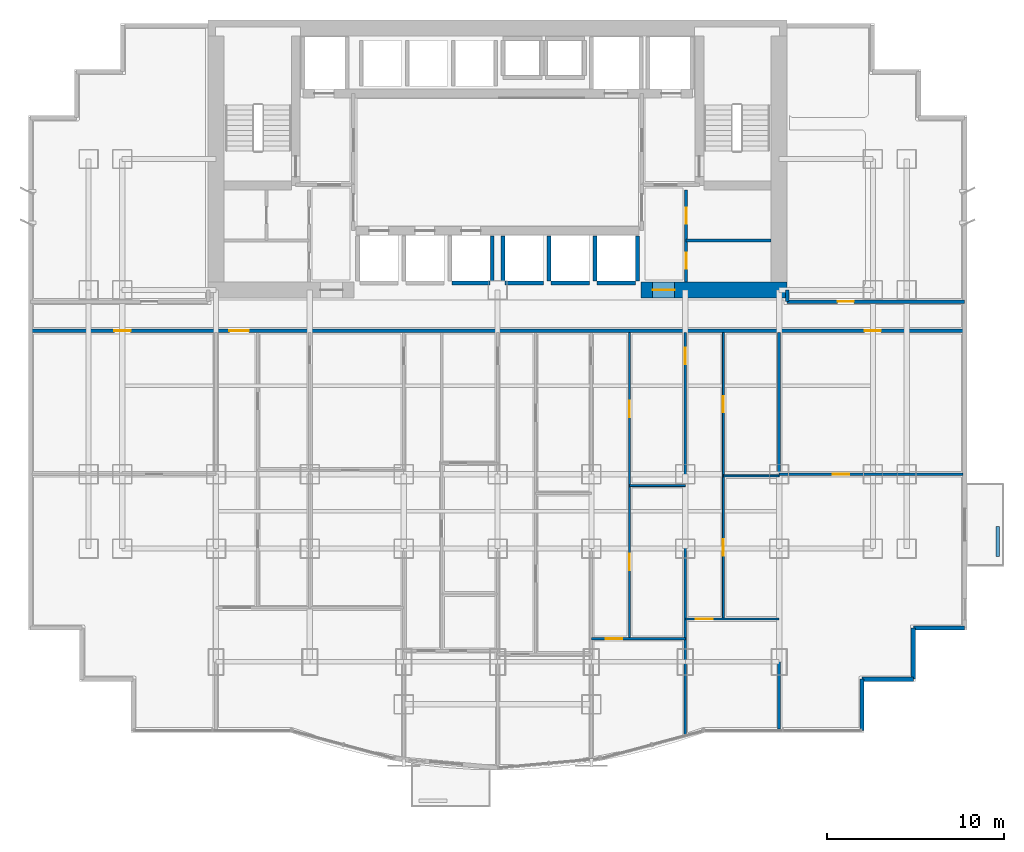
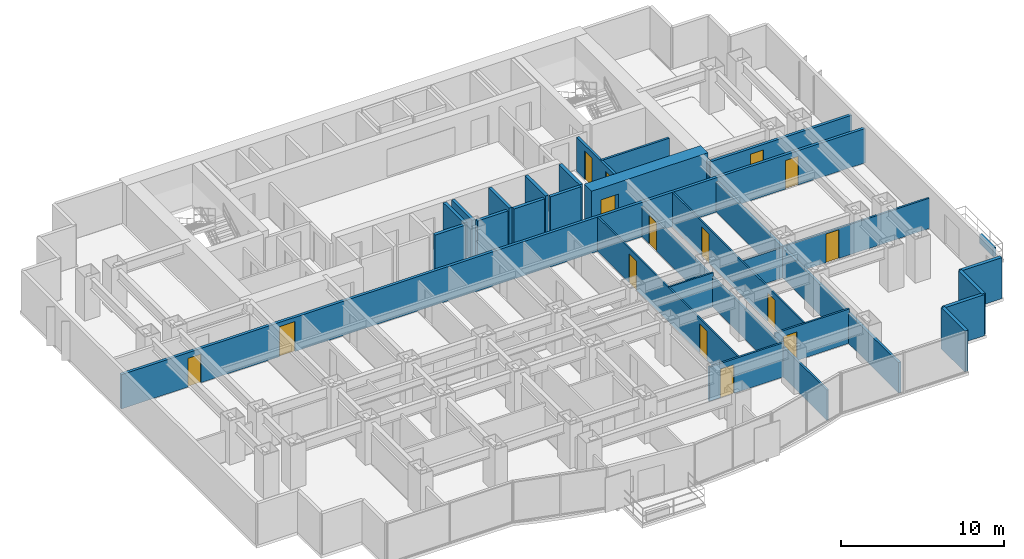
# One storey, part 6 of 10: 29 walls, 15 doors, 15 openings.
"""IFC4 building model written with IfcOpenShell, lengths in metres."""

from ifc_helpers import new_model, si_unit, direction, frame, frame_2d, origin, place, context, subcontext, project, spatial, rectangle, extrude, material, layer, layer_set, type_object, element, fill, save


model = new_model("IFC4")

# Units and contexts
model_context = context("Model", 3, precision=1e-05, world=origin(), true_north=direction((0.0, 1.0)))
body_context = subcontext(model_context, "Body", "Model", "MODEL_VIEW")
ifc_project = project(units=[si_unit("LENGTHUNIT", "METRE"), si_unit("AREAUNIT", "SQUARE_METRE"), si_unit("VOLUMEUNIT", "CUBIC_METRE"), si_unit("PLANEANGLEUNIT", "RADIAN"), si_unit("MASSUNIT", "GRAM", prefix="KILO")], contexts=[model_context])

# Site, building, storey
site_placement = place(None, origin())
site = spatial("IfcSite", under=ifc_project, at=site_placement, CompositionType="ELEMENT")
building_placement = place(site_placement, origin())
building = spatial("IfcBuilding", under=site, at=building_placement, Name="Qianlan Lanfeng Residences", CompositionType="ELEMENT")
storey_placement = place(building_placement, frame((0.0, 0.0, 53.89990234375)))
storey = spatial("IfcBuildingStorey", under=building, at=storey_placement, Name="L14", CompositionType="ELEMENT", Elevation=53.89990234375)

# Wall, opening, door
ifc_material_1 = material(Name="Concrete C70", Category="concrete")
ifc_layer_1 = layer(ifc_material_1, 0.89990234375)
ifc_layer_set_1 = layer_set([ifc_layer_1], Name="Concrete C70")
wall_type_1 = type_object("IfcWallType", Name="CW-RC-900", PredefinedType="SHEAR", material=ifc_layer_set_1)
wall_1_placement = place(storey_placement, frame((34.60009765625, 25.199951171875, 0.0), z_axis=(0.0, 0.0, 1.0), x_axis=(1.0, 0.0, 0.0)))
wall_1 = element("IfcWall", 1, at=wall_1_placement, inside=storey, type_object=wall_type_1, Name="L14 Core Shear Wall SE", PredefinedType="SHEAR", context=body_context, shape_type="SweptSolid", body=[
    extrude(rectangle(XDim=8.25, YDim=0.89990234375, at=frame_2d((4.125, 0.0))), origin(), (0.0, 0.0, 1.0), 3.080078125),
])
opening_1_placement = place(wall_1_placement, frame((0.64990234375, 0.0, 0.0)))
opening_1 = element("IfcOpeningElement", 2, at=opening_1_placement, cuts=wall_1, Name="Opening L14-D02", PredefinedType="OPENING", context=body_context, shape_type="SweptSolid", body=[
    extrude(rectangle(XDim=1.25, YDim=2.199951171875, at=frame_2d((0.625, 1.10009765625))), frame((0.0, 0.4599609375, 0.0), z_axis=(0.0, -1.0, 0.0), x_axis=(1.0, 0.0, 0.0)), (0.0, 0.0, 1.0), 0.919921875),
])
ifc_material_2 = material(Name="Painted Galvanised Steel Fire Door", Category="steel")
door_type_1 = type_object("IfcDoorType", Name="DT-FFL", OperationType="NOTDEFINED", PredefinedType="DOOR", material=ifc_material_2)
door_1_placement = place(opening_1_placement, frame((1.25, 0.0, 0.0), z_axis=(0.0, 0.0, 1.0), x_axis=(-1.0, 0.0, 0.0)))
door_1 = element("IfcDoor", 3, at=door_1_placement, inside=storey, type_object=door_type_1, Name="L14 East Core Lobby Smoke Door L14-D02 (DT-FFL)", OperationType="SINGLE_SWING_LEFT", OverallHeight=2.199951171875, OverallWidth=1.25, PredefinedType="DOOR", context=body_context, shape_type="SweptSolid", body=[
    extrude(rectangle(XDim=1.25, YDim=2.199951171875, at=frame_2d((0.625, 1.10009765625))), frame((0.0, 0.02490234375, 0.0), z_axis=(0.0, -1.0, 0.0), x_axis=(1.0, 0.0, 0.0)), (0.0, 0.0, 1.0), 0.050048828125),
])
fill(opening_1, door_1)

# Walls
ifc_material_3 = material(Name="Concrete C42", Category="concrete")
ifc_layer_2 = layer(ifc_material_3, 0.239990234375)
ifc_layer_set_2 = layer_set([ifc_layer_2], Name="Concrete C42")
wall_type_2 = type_object("IfcWallType", Name="EW-240", PredefinedType="SOLIDWALL", material=ifc_layer_set_2)
for number, where, z_axis, x_axis, name in (
    (4, (47.080078125, 0.320068359375, 0.0), (0.0, 0.0, 1.0), (0.0, 1.0, 0.0), "L14 Exterior Facade Spandrel Wall 6"),
    (5, (47.080078125, 3.219970703125, 0.0), (0.0, 0.0, 1.0), (1.0, 0.0, 0.0), "L14 Exterior Facade Spandrel Wall 7"),
):
    element("IfcWall", number, at=place(storey_placement, frame(where, z_axis=z_axis, x_axis=x_axis)), inside=storey, type_object=wall_type_2, Name=name, PredefinedType="SOLIDWALL", context=body_context, shape_type="SweptSolid", body=[
        extrude(rectangle(XDim=2.89990234375, YDim=0.239990234375, at=frame_2d((1.449951171875, 0.0))), origin(), (0.0, 0.0, 1.0), 3.080078125),
    ])
wall_2_placement = place(storey_placement, frame((49.97998046875, 3.219970703125, 0.0), z_axis=(0.0, 0.0, 1.0), x_axis=(0.0, 1.0, 0.0)))
element("IfcWall", 6, at=wall_2_placement, inside=storey, type_object=wall_type_2, Name="L14 Exterior Facade Spandrel Wall 8", PredefinedType="SOLIDWALL", context=body_context, shape_type="SweptSolid", body=[
    extrude(rectangle(XDim=2.900146484375, YDim=0.239990234375, at=frame_2d((1.4501953125, 0.0))), origin(), (0.0, 0.0, 1.0), 3.080078125),
])
wall_3_placement = place(storey_placement, frame((49.97998046875, 6.1201171875, 0.0), z_axis=(0.0, 0.0, 1.0), x_axis=(1.0, 0.0, 0.0)))
element("IfcWall", 7, at=wall_3_placement, inside=storey, type_object=wall_type_2, Name="L14 Exterior Facade Spandrel Wall 9", PredefinedType="SOLIDWALL", context=body_context, shape_type="SweptSolid", body=[
    extrude(rectangle(XDim=2.89990234375, YDim=0.239990234375, at=frame_2d((1.449951171875, 0.0))), origin(), (0.0, 0.0, 1.0), 3.080078125),
])
ifc_layer_3 = layer(ifc_material_3, 0.199951171875)
ifc_layer_set_3 = layer_set([ifc_layer_3], Name="Concrete C42")
wall_type_3 = type_object("IfcWallType", Name="PL-TREE-200", PredefinedType="PARAPET", material=ifc_layer_set_3)
wall_4_placement = place(storey_placement, frame((54.75, 10.14990234375, 0.0), z_axis=(0.0, 0.0, 1.0), x_axis=(0.0, 1.0, 0.0)))
element("IfcWall", 8, at=wall_4_placement, inside=storey, type_object=wall_type_3, Name="L14 East Tree Planter Curb EB-S", PredefinedType="PARAPET", context=body_context, shape_type="SweptSolid", body=[
    extrude(rectangle(XDim=1.7001953125, YDim=0.199951171875, at=frame_2d((0.85009765625, 0.0))), origin(), (0.0, 0.0, 1.0), 0.650146484375),
])

# Wall, openings, doors
ifc_material_4 = material(Name="Demountable Acoustic Framing Partition 110 mm")
ifc_layer_4 = layer(ifc_material_4, 0.110107421875)
ifc_layer_set_4 = layer_set([ifc_layer_4], Name="Demountable Acoustic Framing Partition 110 mm")
wall_type_4 = type_object("IfcWallType", Name="PW-110", PredefinedType="MOVABLE", material=ifc_layer_set_4)
wall_5_placement = place(storey_placement, frame((33.949951171875, 5.512939453125, 0.0), z_axis=(0.0, 0.0, 1.0), x_axis=(0.0, 1.0, 0.0)))
wall_5 = element("IfcWall", 9, at=wall_5_placement, inside=storey, type_object=wall_type_4, Name="L14 U01 Bedroom 4 Hall Wall", PredefinedType="MOVABLE", context=body_context, shape_type="SweptSolid", body=[
    extrude(rectangle(XDim=17.287109375, YDim=0.110107421875, at=frame_2d((8.6435546875, 0.0))), origin(), (0.0, 0.0, 1.0), 2.570068359375),
])
opening_2_placement = place(wall_5_placement, frame((3.862060546875, 0.0, 0.0)))
opening_2 = element("IfcOpeningElement", 10, at=opening_2_placement, cuts=wall_5, Name="Opening L14-D34", PredefinedType="OPENING", context=body_context, shape_type="SweptSolid", body=[
    extrude(rectangle(XDim=0.919921875, YDim=2.14990234375, at=frame_2d((0.4599609375, 1.074951171875))), frame((0.0, 0.06494140625, 0.0), z_axis=(0.0, -1.0, 0.0), x_axis=(1.0, 0.0, 0.0)), (0.0, 0.0, 1.0), 0.130126953125),
])
opening_3_placement = place(wall_5_placement, frame((12.5048828125, 0.0, 0.0)))
opening_3 = element("IfcOpeningElement", 11, at=opening_3_placement, cuts=wall_5, Name="Opening L14-D35", PredefinedType="OPENING", context=body_context, shape_type="SweptSolid", body=[
    extrude(rectangle(XDim=0.919921875, YDim=2.14990234375, at=frame_2d((0.4599609375, 1.074951171875))), frame((0.0, 0.06494140625, 0.0), z_axis=(0.0, -1.0, 0.0), x_axis=(1.0, 0.0, 0.0)), (0.0, 0.0, 1.0), 0.130126953125),
])
ifc_material_5 = material(Name="Glazed Timber Kitchen/Study Door", Category="wood")
door_type_2 = type_object("IfcDoorType", Name="DT-INT", OperationType="NOTDEFINED", PredefinedType="DOOR", material=ifc_material_5)
door_2_placement = place(opening_2_placement, origin())
door_2 = element("IfcDoor", 12, at=door_2_placement, inside=storey, type_object=door_type_2, Name="L14 U01 Utility Door L14-D34 (DT-INT)", OperationType="SINGLE_SWING_LEFT", OverallHeight=2.14990234375, OverallWidth=0.919921875, PredefinedType="DOOR", context=body_context, shape_type="SweptSolid", body=[
    extrude(rectangle(XDim=0.919921875, YDim=2.14990234375, at=frame_2d((0.4599609375, 1.074951171875))), frame((0.0, 0.02490234375, 0.0), z_axis=(0.0, -1.0, 0.0), x_axis=(1.0, 0.0, 0.0)), (0.0, 0.0, 1.0), 0.050048828125),
])
fill(opening_2, door_2)
door_3_placement = place(opening_3_placement, origin())
door_3 = element("IfcDoor", 13, at=door_3_placement, inside=storey, type_object=door_type_2, Name="L14 U01 Specialty Door L14-D35 (DT-INT)", OperationType="SINGLE_SWING_RIGHT", OverallHeight=2.14990234375, OverallWidth=0.919921875, PredefinedType="DOOR", context=body_context, shape_type="SweptSolid", body=[
    extrude(rectangle(XDim=0.919921875, YDim=2.14990234375, at=frame_2d((0.4599609375, 1.074951171875))), frame((0.0, 0.02490234375, 0.0), z_axis=(0.0, -1.0, 0.0), x_axis=(1.0, 0.0, 0.0)), (0.0, 0.0, 1.0), 0.050048828125),
])
fill(opening_3, door_3)

# Wall
wall_6_placement = place(storey_placement, frame((33.949951171875, 14.156982421875, 0.0), z_axis=(0.0, 0.0, 1.0), x_axis=(1.0, 0.0, 0.0)))
element("IfcWall", 14, at=wall_6_placement, inside=storey, type_object=wall_type_4, Name="L14 U01 Specialty Split Wall", PredefinedType="MOVABLE", context=body_context, shape_type="SweptSolid", body=[
    extrude(rectangle(XDim=3.150146484375, YDim=0.110107421875, at=frame_2d((1.5751953125, 0.0))), origin(), (0.0, 0.0, 1.0), 2.570068359375),
])

# Wall, openings, doors
wall_7_placement = place(storey_placement, frame((39.25, 6.6201171875, 0.0), z_axis=(0.0, 0.0, 1.0), x_axis=(0.0, 1.0, 0.0)))
wall_7 = element("IfcWall", 15, at=wall_7_placement, inside=storey, type_object=wall_type_4, Name="L14 U01 Bedroom 5 Hall Wall", PredefinedType="MOVABLE", context=body_context, shape_type="SweptSolid", body=[
    extrude(rectangle(XDim=16.179931640625, YDim=0.110107421875, at=frame_2d((8.08984375, 0.0))), origin(), (0.0, 0.0, 1.0), 2.570068359375),
])
opening_4_placement = place(wall_7_placement, frame((3.5849609375, 0.0, 0.0)))
opening_4 = element("IfcOpeningElement", 16, at=opening_4_placement, cuts=wall_7, Name="Opening L14-D37", PredefinedType="OPENING", context=body_context, shape_type="SweptSolid", body=[
    extrude(rectangle(XDim=0.919921875, YDim=2.14990234375, at=frame_2d((0.4599609375, 1.074951171875))), frame((0.0, 0.06494140625, 0.0), z_axis=(0.0, -1.0, 0.0), x_axis=(1.0, 0.0, 0.0)), (0.0, 0.0, 1.0), 0.130126953125),
])
opening_5_placement = place(wall_7_placement, frame((11.675048828125, 0.0, 0.0)))
opening_5 = element("IfcOpeningElement", 17, at=opening_5_placement, cuts=wall_7, Name="Opening L14-D38", PredefinedType="OPENING", context=body_context, shape_type="SweptSolid", body=[
    extrude(rectangle(XDim=0.919921875, YDim=2.14990234375, at=frame_2d((0.4599609375, 1.074951171875))), frame((0.0, 0.06494140625, 0.0), z_axis=(0.0, -1.0, 0.0), x_axis=(1.0, 0.0, 0.0)), (0.0, 0.0, 1.0), 0.130126953125),
])
door_4_placement = place(opening_4_placement, origin())
door_4 = element("IfcDoor", 18, at=door_4_placement, inside=storey, type_object=door_type_2, Name="L14 U01 Utility Door L14-D37 (DT-INT)", OperationType="SINGLE_SWING_RIGHT", OverallHeight=2.14990234375, OverallWidth=0.919921875, PredefinedType="DOOR", context=body_context, shape_type="SweptSolid", body=[
    extrude(rectangle(XDim=0.919921875, YDim=2.14990234375, at=frame_2d((0.4599609375, 1.074951171875))), frame((0.0, 0.02490234375, 0.0), z_axis=(0.0, -1.0, 0.0), x_axis=(1.0, 0.0, 0.0)), (0.0, 0.0, 1.0), 0.050048828125),
])
fill(opening_4, door_4)
door_5_placement = place(opening_5_placement, origin())
door_5 = element("IfcDoor", 19, at=door_5_placement, inside=storey, type_object=door_type_2, Name="L14 U01 Specialty Door L14-D38 (DT-INT)", OperationType="SINGLE_SWING_LEFT", OverallHeight=2.14990234375, OverallWidth=0.919921875, PredefinedType="DOOR", context=body_context, shape_type="SweptSolid", body=[
    extrude(rectangle(XDim=0.919921875, YDim=2.14990234375, at=frame_2d((0.4599609375, 1.074951171875))), frame((0.0, 0.02490234375, 0.0), z_axis=(0.0, -1.0, 0.0), x_axis=(1.0, 0.0, 0.0)), (0.0, 0.0, 1.0), 0.050048828125),
])
fill(opening_5, door_5)

# Wall
wall_8_placement = place(storey_placement, frame((39.25, 14.7099609375, 0.0), z_axis=(0.0, 0.0, 1.0), x_axis=(1.0, 0.0, 0.0)))
element("IfcWall", 20, at=wall_8_placement, inside=storey, type_object=wall_type_4, Name="L14 U01 Specialty Split Wall", PredefinedType="MOVABLE", context=body_context, shape_type="SweptSolid", body=[
    extrude(rectangle(XDim=3.14990234375, YDim=0.110107421875, at=frame_2d((1.574951171875, 0.0))), origin(), (0.0, 0.0, 1.0), 2.275146484375),
])

# Wall, opening, door
ifc_material_6 = material(Name="Moisture-Resistant Gypsum Partition 135 mm")
ifc_layer_5 = layer(ifc_material_6, 0.135009765625)
ifc_layer_set_5 = layer_set([ifc_layer_5], Name="Moisture-Resistant Gypsum Partition 135 mm")
wall_type_5 = type_object("IfcWallType", Name="PW-135", PredefinedType="PARTITIONING", material=ifc_layer_set_5)
wall_9_placement = place(storey_placement, frame((37.10009765625, 0.076904296875, 0.0), z_axis=(0.0, 0.0, 1.0), x_axis=(0.0, 1.0, 0.0)))
wall_9 = element("IfcWall", 21, at=wall_9_placement, inside=storey, type_object=wall_type_5, Name="L14 U01 Bay Spine Wall 5", PredefinedType="PARTITIONING", context=body_context, shape_type="SweptSolid", body=[
    extrude(rectangle(XDim=22.72314453125, YDim=0.135009765625, at=frame_2d((11.361572265625, 0.0))), origin(), (0.0, 0.0, 1.0), 2.275146484375),
])
opening_6_placement = place(wall_9_placement, frame((20.93798828125, 0.0, 0.0)))
opening_6 = element("IfcOpeningElement", 22, at=opening_6_placement, cuts=wall_9, Name="Opening L14-D21", PredefinedType="OPENING", context=body_context, shape_type="SweptSolid", body=[
    extrude(rectangle(XDim=0.919921875, YDim=2.14990234375, at=frame_2d((0.4599609375, 1.074951171875))), frame((0.0, 0.07763671875, 0.0), z_axis=(0.0, -1.0, 0.0), x_axis=(1.0, 0.0, 0.0)), (0.0, 0.0, 1.0), 0.155029296875),
])
door_6_placement = place(opening_6_placement, origin())
door_6 = element("IfcDoor", 23, at=door_6_placement, inside=storey, type_object=door_type_2, Name="L14 U01 Internal Hall Door L14-D21 (DT-INT)", OperationType="SINGLE_SWING_RIGHT", OverallHeight=2.14990234375, OverallWidth=0.919921875, PredefinedType="DOOR", context=body_context, shape_type="SweptSolid", body=[
    extrude(rectangle(XDim=0.919921875, YDim=2.14990234375, at=frame_2d((0.4599609375, 1.074951171875))), frame((0.0, 0.02490234375, 0.0), z_axis=(0.0, -1.0, 0.0), x_axis=(1.0, 0.0, 0.0)), (0.0, 0.0, 1.0), 0.050048828125),
])
fill(opening_6, door_6)

wall_10_placement = place(storey_placement, frame((31.800048828125, 5.512939453125, 0.0), z_axis=(0.0, 0.0, 1.0), x_axis=(1.0, 0.0, 0.0)))
wall_10 = element("IfcWall", 24, at=wall_10_placement, inside=storey, type_object=wall_type_5, Name="L14 U01 Bedroom 4 North Wall", PredefinedType="PARTITIONING", context=body_context, shape_type="SweptSolid", body=[
    extrude(rectangle(XDim=5.300048828125, YDim=0.135009765625, at=frame_2d((2.64990234375, 0.0))), origin(), (0.0, 0.0, 1.0), 2.570068359375),
])
opening_7_placement = place(wall_10_placement, frame((0.800048828125, 0.0, 0.0)))
opening_7 = element("IfcOpeningElement", 25, at=opening_7_placement, cuts=wall_10, Name="Opening L14-D33", PredefinedType="OPENING", context=body_context, shape_type="SweptSolid", body=[
    extrude(rectangle(XDim=0.949951171875, YDim=2.14990234375, at=frame_2d((0.47509765625, 1.074951171875))), frame((0.0, 0.07763671875, 0.0), z_axis=(0.0, -1.0, 0.0), x_axis=(1.0, 0.0, 0.0)), (0.0, 0.0, 1.0), 0.155029296875),
])
ifc_material_7 = material(Name="Painted Solid-Core Timber Leaf", Category="wood")
door_type_3 = type_object("IfcDoorType", Name="DT-BED", OperationType="NOTDEFINED", PredefinedType="DOOR", material=ifc_material_7)
door_7_placement = place(opening_7_placement, origin())
door_7 = element("IfcDoor", 26, at=door_7_placement, inside=storey, type_object=door_type_3, Name="L14 U01 Bedroom 4 Door L14-D33 (DT-BED)", OperationType="SINGLE_SWING_LEFT", OverallHeight=2.14990234375, OverallWidth=0.949951171875, PredefinedType="DOOR", context=body_context, shape_type="SweptSolid", body=[
    extrude(rectangle(XDim=0.949951171875, YDim=2.14990234375, at=frame_2d((0.47509765625, 1.074951171875))), frame((0.0, 0.02490234375, 0.0), z_axis=(0.0, -1.0, 0.0), x_axis=(1.0, 0.0, 0.0)), (0.0, 0.0, 1.0), 0.050048828125),
])
fill(opening_7, door_7)

wall_11_placement = place(storey_placement, frame((37.10009765625, 6.6201171875, 0.0), z_axis=(0.0, 0.0, 1.0), x_axis=(1.0, 0.0, 0.0)))
wall_11 = element("IfcWall", 27, at=wall_11_placement, inside=storey, type_object=wall_type_5, Name="L14 U01 Bedroom 5 North Wall", PredefinedType="PARTITIONING", context=body_context, shape_type="SweptSolid", body=[
    extrude(rectangle(XDim=5.2998046875, YDim=0.135009765625, at=frame_2d((2.64990234375, 0.0))), origin(), (0.0, 0.0, 1.0), 2.570068359375),
])
opening_8_placement = place(wall_11_placement, frame((0.60009765625, 0.0, 0.0)))
opening_8 = element("IfcOpeningElement", 28, at=opening_8_placement, cuts=wall_11, Name="Opening L14-D36", PredefinedType="OPENING", context=body_context, shape_type="SweptSolid", body=[
    extrude(rectangle(XDim=0.949951171875, YDim=2.14990234375, at=frame_2d((0.47509765625, 1.074951171875))), frame((0.0, 0.07763671875, 0.0), z_axis=(0.0, -1.0, 0.0), x_axis=(1.0, 0.0, 0.0)), (0.0, 0.0, 1.0), 0.155029296875),
])
door_8_placement = place(opening_8_placement, frame((0.949951171875, 0.0, 0.0), z_axis=(0.0, 0.0, 1.0), x_axis=(-1.0, 0.0, 0.0)))
door_8 = element("IfcDoor", 29, at=door_8_placement, inside=storey, type_object=door_type_3, Name="L14 U01 Bedroom 5 Door L14-D36 (DT-BED)", OperationType="SINGLE_SWING_RIGHT", OverallHeight=2.14990234375, OverallWidth=0.949951171875, PredefinedType="DOOR", context=body_context, shape_type="SweptSolid", body=[
    extrude(rectangle(XDim=0.949951171875, YDim=2.14990234375, at=frame_2d((0.47509765625, 1.074951171875))), frame((0.0, 0.02490234375, 0.0), z_axis=(0.0, -1.0, 0.0), x_axis=(1.0, 0.0, 0.0)), (0.0, 0.0, 1.0), 0.050048828125),
])
fill(opening_8, door_8)

wall_12_placement = place(storey_placement, frame((42.39990234375, 14.800048828125, 0.0), z_axis=(0.0, 0.0, 1.0), x_axis=(1.0, 0.0, 0.0)))
wall_12 = element("IfcWall", 30, at=wall_12_placement, inside=storey, type_object=wall_type_5, Name="L14 SEP Mid Partition", PredefinedType="PARTITIONING", context=body_context, shape_type="SweptSolid", body=[
    extrude(rectangle(XDim=10.380126953125, YDim=0.135009765625, at=frame_2d((5.18994140625, 0.0))), origin(), (0.0, 0.0, 1.0), 2.275146484375),
])
opening_9_placement = place(wall_12_placement, frame((3.030029296875, 0.0, 0.0)))
opening_9 = element("IfcOpeningElement", 31, at=opening_9_placement, cuts=wall_12, Name="Opening L14-D41", PredefinedType="OPENING", context=body_context, shape_type="SweptSolid", body=[
    extrude(rectangle(XDim=0.919921875, YDim=2.14990234375, at=frame_2d((0.4599609375, 1.074951171875))), frame((0.0, 0.07763671875, 0.0), z_axis=(0.0, -1.0, 0.0), x_axis=(1.0, 0.0, 0.0)), (0.0, 0.0, 1.0), 0.155029296875),
])
door_9_placement = place(opening_9_placement, origin())
door_9 = element("IfcDoor", 32, at=door_9_placement, inside=storey, type_object=door_type_2, Name="L14 SEP Inner Door L14-D41 (DT-INT)", OperationType="SINGLE_SWING_RIGHT", OverallHeight=2.14990234375, OverallWidth=0.919921875, PredefinedType="DOOR", context=body_context, shape_type="SweptSolid", body=[
    extrude(rectangle(XDim=0.919921875, YDim=2.14990234375, at=frame_2d((0.4599609375, 1.074951171875))), frame((0.0, 0.02490234375, 0.0), z_axis=(0.0, -1.0, 0.0), x_axis=(1.0, 0.0, 0.0)), (0.0, 0.0, 1.0), 0.050048828125),
])
fill(opening_9, door_9)

# Wall
ifc_material_8 = material(Name="Acoustic Drywall Partition 150 mm")
ifc_layer_6 = layer(ifc_material_8, 0.14990234375)
ifc_layer_set_6 = layer_set([ifc_layer_6], Name="Acoustic Drywall Partition 150 mm")
wall_type_6 = type_object("IfcWallType", Name="PW-150", PredefinedType="PARTITIONING", material=ifc_layer_set_6)
wall_13_placement = place(storey_placement, frame((37.14990234375, 28.0, 0.0), z_axis=(0.0, 0.0, 1.0), x_axis=(1.0, 0.0, 0.0)))
element("IfcWall", 33, at=wall_13_placement, inside=storey, type_object=wall_type_6, Name="L14 Core East H4", PredefinedType="PARTITIONING", context=body_context, shape_type="SweptSolid", body=[
    extrude(rectangle(XDim=4.800048828125, YDim=0.14990234375, at=frame_2d((2.39990234375, 0.0))), origin(), (0.0, 0.0, 1.0), 2.570068359375),
])

# Wall, openings, doors
ifc_material_9 = material(Name="Double-Layer Acoustic Gypsum Stud Wall 180 mm")
ifc_layer_7 = layer(ifc_material_9, 0.179931640625)
ifc_layer_set_7 = layer_set([ifc_layer_7], Name="Double-Layer Acoustic Gypsum Stud Wall 180 mm")
wall_type_7 = type_object("IfcWallType", Name="PW-180", PredefinedType="PARTITIONING", material=ifc_layer_set_7)
wall_14_placement = place(storey_placement, frame((37.14990234375, 25.64990234375, 0.0), z_axis=(0.0, 0.0, 1.0), x_axis=(0.0, 1.0, 0.0)))
wall_14 = element("IfcWall", 34, at=wall_14_placement, inside=storey, type_object=wall_type_7, Name="L14 Core East Service Room Wall", PredefinedType="PARTITIONING", context=body_context, shape_type="SweptSolid", body=[
    extrude(rectangle(XDim=5.2001953125, YDim=0.179931640625, at=frame_2d((2.60009765625, 0.0))), origin(), (0.0, 0.0, 1.0), 2.570068359375),
])
opening_10_placement = place(wall_14_placement, frame((0.739990234375, 0.0, 0.0)))
opening_10 = element("IfcOpeningElement", 35, at=opening_10_placement, cuts=wall_14, Name="Opening L14-D12", PredefinedType="OPENING", context=body_context, shape_type="SweptSolid", body=[
    extrude(rectangle(XDim=0.919921875, YDim=2.14990234375, at=frame_2d((0.4599609375, 1.074951171875))), frame((0.0, 0.10009765625, 0.0), z_axis=(0.0, -1.0, 0.0), x_axis=(1.0, 0.0, 0.0)), (0.0, 0.0, 1.0), 0.199951171875),
])
opening_11_placement = place(wall_14_placement, frame((3.2900390625, 0.0, 0.0)))
opening_11 = element("IfcOpeningElement", 36, at=opening_11_placement, cuts=wall_14, Name="Opening L14-D13", PredefinedType="OPENING", context=body_context, shape_type="SweptSolid", body=[
    extrude(rectangle(XDim=0.919921875, YDim=2.14990234375, at=frame_2d((0.4599609375, 1.074951171875))), frame((0.0, 0.10009765625, 0.0), z_axis=(0.0, -1.0, 0.0), x_axis=(1.0, 0.0, 0.0)), (0.0, 0.0, 1.0), 0.199951171875),
])
door_10_placement = place(opening_10_placement, origin())
door_10 = element("IfcDoor", 37, at=door_10_placement, inside=storey, type_object=door_type_2, Name="L14 Mail Closet Door L14-D12 (DT-INT)", OperationType="SINGLE_SWING_LEFT", OverallHeight=2.14990234375, OverallWidth=0.919921875, PredefinedType="DOOR", context=body_context, shape_type="SweptSolid", body=[
    extrude(rectangle(XDim=0.919921875, YDim=2.14990234375, at=frame_2d((0.4599609375, 1.074951171875))), frame((0.0, 0.02490234375, 0.0), z_axis=(0.0, -1.0, 0.0), x_axis=(1.0, 0.0, 0.0)), (0.0, 0.0, 1.0), 0.050048828125),
])
fill(opening_10, door_10)
door_11_placement = place(opening_11_placement, origin())
door_11 = element("IfcDoor", 38, at=door_11_placement, inside=storey, type_object=door_type_2, Name="L14 Refuse Closet Door L14-D13 (DT-INT)", OperationType="SINGLE_SWING_RIGHT", OverallHeight=2.14990234375, OverallWidth=0.919921875, PredefinedType="DOOR", context=body_context, shape_type="SweptSolid", body=[
    extrude(rectangle(XDim=0.919921875, YDim=2.14990234375, at=frame_2d((0.4599609375, 1.074951171875))), frame((0.0, 0.02490234375, 0.0), z_axis=(0.0, -1.0, 0.0), x_axis=(1.0, 0.0, 0.0)), (0.0, 0.0, 1.0), 0.050048828125),
])
fill(opening_11, door_11)

# Wall
wall_15_placement = place(storey_placement, frame((42.39990234375, 0.419921875, 0.0), z_axis=(0.0, 0.0, 1.0), x_axis=(0.0, 1.0, 0.0)))
element("IfcWall", 39, at=wall_15_placement, inside=storey, type_object=wall_type_7, Name="L14 Wing Boundary Party Wall E0", PredefinedType="PARTITIONING", context=body_context, shape_type="SweptSolid", body=[
    extrude(rectangle(XDim=22.380126953125, YDim=0.179931640625, at=frame_2d((11.18994140625, 0.0))), origin(), (0.0, 0.0, 1.0), 2.275146484375),
])

# Wall, openings, doors
ifc_material_10 = material(Name="Autoclaved Aerated Concrete Blockwork 200 mm", Category="masonry")
ifc_layer_8 = layer(ifc_material_10, 0.199951171875)
ifc_layer_set_8 = layer_set([ifc_layer_8], Name="Autoclaved Aerated Concrete Blockwork 200 mm")
wall_type_8 = type_object("IfcWallType", Name="PW-200", PredefinedType="PARTITIONING", material=ifc_layer_set_8)
wall_16_placement = place(storey_placement, frame((0.1201171875, 22.89990234375, 0.0), z_axis=(0.0, 0.0, 1.0), x_axis=(1.0, 0.0, 0.0)))
wall_16 = element("IfcWall", 40, at=wall_16_placement, inside=storey, type_object=wall_type_8, Name="L14 Residential Corridor South Fire Wall", PredefinedType="PARTITIONING", context=body_context, shape_type="SweptSolid", body=[
    extrude(rectangle(XDim=52.759765625, YDim=0.199951171875, at=frame_2d((26.3798828125, 0.0))), origin(), (0.0, 0.0, 1.0), 2.570068359375),
])
opening_12_placement = place(wall_16_placement, frame((11.22998046875, 0.0, 0.0)))
opening_12 = element("IfcOpeningElement", 41, at=opening_12_placement, cuts=wall_16, Name="Opening L14-D16", PredefinedType="OPENING", context=body_context, shape_type="SweptSolid", body=[
    extrude(rectangle(XDim=1.10009765625, YDim=2.25, at=frame_2d((0.550048828125, 1.125))), frame((0.0, 0.10986328125, 0.0), z_axis=(0.0, -1.0, 0.0), x_axis=(1.0, 0.0, 0.0)), (0.0, 0.0, 1.0), 0.219970703125),
])
opening_13_placement = place(wall_16_placement, frame((4.735107421875, 0.0, 0.0)))
opening_13 = element("IfcOpeningElement", 42, at=opening_13_placement, cuts=wall_16, Name="Opening L14-D40", PredefinedType="OPENING", context=body_context, shape_type="SweptSolid", body=[
    extrude(rectangle(XDim=0.919921875, YDim=2.14990234375, at=frame_2d((0.4599609375, 1.074951171875))), frame((0.0, 0.10986328125, 0.0), z_axis=(0.0, -1.0, 0.0), x_axis=(1.0, 0.0, 0.0)), (0.0, 0.0, 1.0), 0.219970703125),
])
opening_14_placement = place(wall_16_placement, frame((47.10498046875, 0.0, 0.0)))
opening_14 = element("IfcOpeningElement", 43, at=opening_14_placement, cuts=wall_16, Name="Opening L14-D42", PredefinedType="OPENING", context=body_context, shape_type="SweptSolid", body=[
    extrude(rectangle(XDim=0.919921875, YDim=2.14990234375, at=frame_2d((0.4599609375, 1.074951171875))), frame((0.0, 0.10986328125, 0.0), z_axis=(0.0, -1.0, 0.0), x_axis=(1.0, 0.0, 0.0)), (0.0, 0.0, 1.0), 0.219970703125),
])
door_12_placement = place(opening_13_placement, origin())
door_12 = element("IfcDoor", 44, at=door_12_placement, inside=storey, type_object=door_type_2, Name="L14 SWP Corridor Door L14-D40 (DT-INT)", OperationType="SINGLE_SWING_LEFT", OverallHeight=2.14990234375, OverallWidth=0.919921875, PredefinedType="DOOR", context=body_context, shape_type="SweptSolid", body=[
    extrude(rectangle(XDim=0.919921875, YDim=2.14990234375, at=frame_2d((0.4599609375, 1.074951171875))), frame((0.0, 0.02490234375, 0.0), z_axis=(0.0, -1.0, 0.0), x_axis=(1.0, 0.0, 0.0)), (0.0, 0.0, 1.0), 0.050048828125),
])
fill(opening_13, door_12)
door_13_placement = place(opening_14_placement, origin())
door_13 = element("IfcDoor", 45, at=door_13_placement, inside=storey, type_object=door_type_2, Name="L14 SEP Corridor Door L14-D42 (DT-INT)", OperationType="SINGLE_SWING_LEFT", OverallHeight=2.14990234375, OverallWidth=0.919921875, PredefinedType="DOOR", context=body_context, shape_type="SweptSolid", body=[
    extrude(rectangle(XDim=0.919921875, YDim=2.14990234375, at=frame_2d((0.4599609375, 1.074951171875))), frame((0.0, 0.02490234375, 0.0), z_axis=(0.0, -1.0, 0.0), x_axis=(1.0, 0.0, 0.0)), (0.0, 0.0, 1.0), 0.050048828125),
])
fill(opening_14, door_13)
ifc_material_11 = material(Name="Solid-Core Oak Veneer Fire Door")
door_type_4 = type_object("IfcDoorType", Name="DT-UNIT", OperationType="NOTDEFINED", PredefinedType="DOOR", material=ifc_material_11)
door_14_placement = place(opening_12_placement, frame((1.10009765625, 0.0, 0.0), z_axis=(0.0, 0.0, 1.0), x_axis=(-1.0, 0.0, 0.0)))
door_14 = element("IfcDoor", 46, at=door_14_placement, inside=storey, type_object=door_type_4, Name="L14 Apartment U01 Entrance Door L14-D16 (DT-UNIT)", OperationType="SINGLE_SWING_RIGHT", OverallHeight=2.25, OverallWidth=1.10009765625, PredefinedType="DOOR", context=body_context, shape_type="SweptSolid", body=[
    extrude(rectangle(XDim=1.10009765625, YDim=2.25, at=frame_2d((0.550048828125, 1.125))), frame((0.0, 0.02490234375, 0.0), z_axis=(0.0, -1.0, 0.0), x_axis=(1.0, 0.0, 0.0)), (0.0, 0.0, 1.0), 0.050048828125),
])
fill(opening_12, door_14)

# Wall, opening, door
wall_17_placement = place(storey_placement, frame((42.85009765625, 24.550048828125, 0.0), z_axis=(0.0, 0.0, 1.0), x_axis=(1.0, 0.0, 0.0)))
wall_17 = element("IfcWall", 47, at=wall_17_placement, inside=storey, type_object=wall_type_8, Name="L14 Corridor NE Wall", PredefinedType="PARTITIONING", context=body_context, shape_type="SweptSolid", body=[
    extrude(rectangle(XDim=10.02978515625, YDim=0.199951171875, at=frame_2d((5.014892578125, 0.0))), origin(), (0.0, 0.0, 1.0), 2.570068359375),
])
opening_15_placement = place(wall_17_placement, frame((2.85498046875, 0.0, 0.0)))
opening_15 = element("IfcOpeningElement", 48, at=opening_15_placement, cuts=wall_17, Name="Opening L14-D44", PredefinedType="OPENING", context=body_context, shape_type="SweptSolid", body=[
    extrude(rectangle(XDim=0.919921875, YDim=2.14990234375, at=frame_2d((0.4599609375, 1.074951171875))), frame((0.0, 0.10986328125, 0.0), z_axis=(0.0, -1.0, 0.0), x_axis=(1.0, 0.0, 0.0)), (0.0, 0.0, 1.0), 0.219970703125),
])
door_15_placement = place(opening_15_placement, origin())
door_15 = element("IfcDoor", 49, at=door_15_placement, inside=storey, type_object=door_type_2, Name="L14 EW Amenity Salon Door L14-D44 (DT-INT)", OperationType="SINGLE_SWING_LEFT", OverallHeight=2.14990234375, OverallWidth=0.919921875, PredefinedType="DOOR", context=body_context, shape_type="SweptSolid", body=[
    extrude(rectangle(XDim=0.919921875, YDim=2.14990234375, at=frame_2d((0.4599609375, 1.074951171875))), frame((0.0, 0.02490234375, 0.0), z_axis=(0.0, -1.0, 0.0), x_axis=(1.0, 0.0, 0.0)), (0.0, 0.0, 1.0), 0.050048828125),
])
fill(opening_15, door_15)

# Walls
wall_18_placement = place(storey_placement, frame((42.85009765625, 24.550048828125, 0.0), z_axis=(0.0, 0.0, 1.0), x_axis=(0.0, 1.0, 0.0)))
element("IfcWall", 50, at=wall_18_placement, inside=storey, type_object=wall_type_8, Name="L14 NE Wing Core Return Wall", PredefinedType="PARTITIONING", context=body_context, shape_type="SweptSolid", body=[
    extrude(rectangle(XDim=0.64990234375, YDim=0.199951171875, at=frame_2d((0.324951171875, 0.0))), origin(), (0.0, 0.0, 1.0), 2.570068359375),
])
ifc_material_12 = material(Name="Concrete C49", Category="concrete")
ifc_layer_9 = layer(ifc_material_12, 0.219970703125)
ifc_layer_set_9 = layer_set([ifc_layer_9], Name="Concrete C49")
wall_type_9 = type_object("IfcWallType", Name="SHW-220", PredefinedType="SOLIDWALL", material=ifc_layer_set_9)
wall_19_placement = place(storey_placement, frame((26.199951171875, 25.719970703125, 0.0), z_axis=(0.0, 0.0, 1.0), x_axis=(0.0, 1.0, 0.0)))
element("IfcWall", 51, at=wall_19_placement, inside=storey, type_object=wall_type_9, Name="L14 Lift PL-L3 Shaft Wall E", PredefinedType="SOLIDWALL", context=body_context, shape_type="SweptSolid", body=[
    extrude(rectangle(XDim=2.530029296875, YDim=0.219970703125, at=frame_2d((1.26513671875, 0.0))), origin(), (0.0, 0.0, 1.0), 3.080078125),
])
wall_20_placement = place(storey_placement, frame((23.919921875, 25.60009765625, 0.0), z_axis=(0.0, 0.0, 1.0), x_axis=(1.0, 0.0, 0.0)))
element("IfcWall", 52, at=wall_20_placement, inside=storey, type_object=wall_type_9, Name="L14 Lift PL-L3 Shaft Back Wall S", PredefinedType="SOLIDWALL", context=body_context, shape_type="SweptSolid", body=[
    extrude(rectangle(XDim=2.16015625, YDim=0.219970703125, at=frame_2d((1.080078125, 0.0))), origin(), (0.0, 0.0, 1.0), 3.080078125),
])
wall_21_placement = place(storey_placement, frame((26.800048828125, 25.719970703125, 0.0), z_axis=(0.0, 0.0, 1.0), x_axis=(0.0, 1.0, 0.0)))
element("IfcWall", 53, at=wall_21_placement, inside=storey, type_object=wall_type_9, Name="L14 Lift PL-M1 Shaft Wall W", PredefinedType="SOLIDWALL", context=body_context, shape_type="SweptSolid", body=[
    extrude(rectangle(XDim=2.530029296875, YDim=0.219970703125, at=frame_2d((1.26513671875, 0.0))), origin(), (0.0, 0.0, 1.0), 3.080078125),
])
wall_22_placement = place(storey_placement, frame((26.919921875, 25.60009765625, 0.0), z_axis=(0.0, 0.0, 1.0), x_axis=(1.0, 0.0, 0.0)))
element("IfcWall", 54, at=wall_22_placement, inside=storey, type_object=wall_type_9, Name="L14 Lift PL-M1 Shaft Back Wall S", PredefinedType="SOLIDWALL", context=body_context, shape_type="SweptSolid", body=[
    extrude(rectangle(XDim=2.16015625, YDim=0.219970703125, at=frame_2d((1.080078125, 0.0))), origin(), (0.0, 0.0, 1.0), 3.080078125),
])
wall_23_placement = place(storey_placement, frame((29.39990234375, 25.719970703125, 0.0), z_axis=(0.0, 0.0, 1.0), x_axis=(0.0, 1.0, 0.0)))
element("IfcWall", 55, at=wall_23_placement, inside=storey, type_object=wall_type_9, Name="L14 Lift PL-M2 Shaft Wall W", PredefinedType="SOLIDWALL", context=body_context, shape_type="SweptSolid", body=[
    extrude(rectangle(XDim=2.530029296875, YDim=0.219970703125, at=frame_2d((1.26513671875, 0.0))), origin(), (0.0, 0.0, 1.0), 3.080078125),
])
wall_24_placement = place(storey_placement, frame((29.52001953125, 25.60009765625, 0.0), z_axis=(0.0, 0.0, 1.0), x_axis=(1.0, 0.0, 0.0)))
element("IfcWall", 56, at=wall_24_placement, inside=storey, type_object=wall_type_9, Name="L14 Lift PL-M2 Shaft Back Wall S", PredefinedType="SOLIDWALL", context=body_context, shape_type="SweptSolid", body=[
    extrude(rectangle(XDim=2.159912109375, YDim=0.219970703125, at=frame_2d((1.080078125, 0.0))), origin(), (0.0, 0.0, 1.0), 3.080078125),
])
for number, where, z_axis, x_axis, name in (
    (57, (32.0, 25.719970703125, 0.0), (0.0, 0.0, 1.0), (0.0, 1.0, 0.0), "L14 Lift PL-M3 Shaft Wall W"),
    (58, (34.39990234375, 25.719970703125, 0.0), (0.0, 0.0, 1.0), (0.0, 1.0, 0.0), "L14 Lift PL-M3 Shaft Wall E"),
):
    element("IfcWall", number, at=place(storey_placement, frame(where, z_axis=z_axis, x_axis=x_axis)), inside=storey, type_object=wall_type_9, Name=name, PredefinedType="SOLIDWALL", context=body_context, shape_type="SweptSolid", body=[
        extrude(rectangle(XDim=2.530029296875, YDim=0.219970703125, at=frame_2d((1.26513671875, 0.0))), origin(), (0.0, 0.0, 1.0), 3.080078125),
    ])
wall_25_placement = place(storey_placement, frame((32.1201171875, 25.60009765625, 0.0), z_axis=(0.0, 0.0, 1.0), x_axis=(1.0, 0.0, 0.0)))
element("IfcWall", 59, at=wall_25_placement, inside=storey, type_object=wall_type_9, Name="L14 Lift PL-M3 Shaft Back Wall S", PredefinedType="SOLIDWALL", context=body_context, shape_type="SweptSolid", body=[
    extrude(rectangle(XDim=2.159912109375, YDim=0.219970703125, at=frame_2d((1.080078125, 0.0))), origin(), (0.0, 0.0, 1.0), 3.080078125),
])

save(model, "model.ifc")
